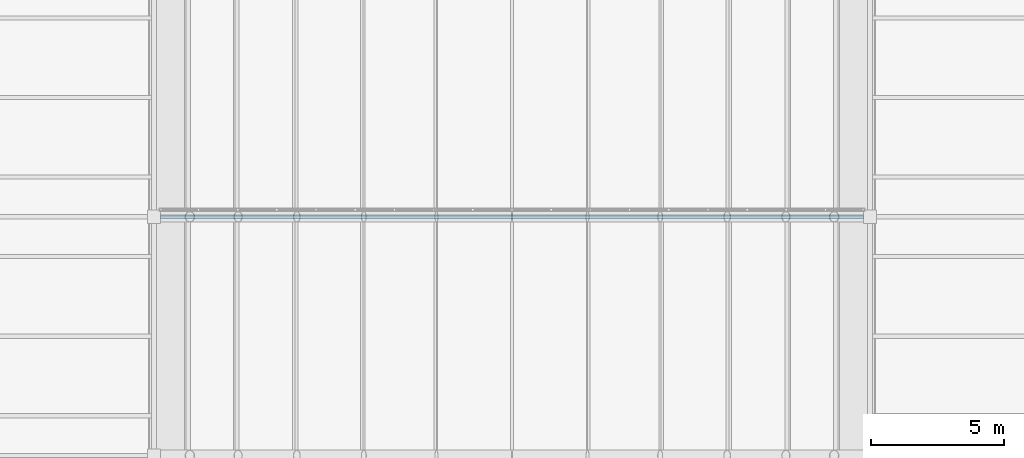
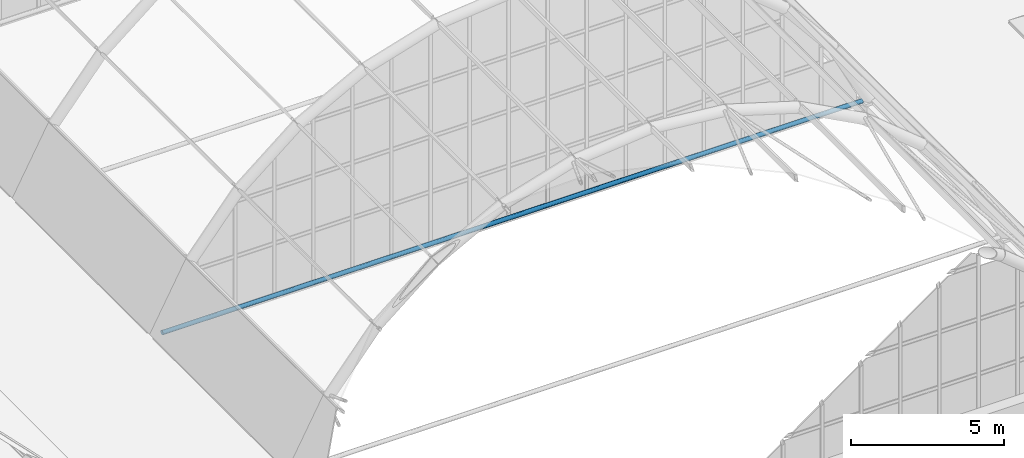
# One storey, part 27 of 121: 1 member.
"""IFC4 building model written with IfcOpenShell, lengths in metres."""

from ifc_helpers import new_model, si_unit, direction, frame, origin, origin_2d, place, context, subcontext, project, spatial, hollow_circle, extrude, material, material_profile, profile_set, type_object, element, save


model = new_model("IFC4")

# Units and contexts
model_context = context("Model", 3, precision=1e-05, world=origin(), true_north=direction((0.0, 1.0)))
body_context = subcontext(model_context, "Body", "Model", "MODEL_VIEW")
ifc_project = project(units=[si_unit("LENGTHUNIT", "METRE"), si_unit("AREAUNIT", "SQUARE_METRE"), si_unit("VOLUMEUNIT", "CUBIC_METRE"), si_unit("PLANEANGLEUNIT", "RADIAN"), si_unit("MASSUNIT", "GRAM", prefix="KILO")], contexts=[model_context])

# Site, building, storey
site_placement = place(None, origin())
site = spatial("IfcSite", under=ifc_project, at=site_placement, CompositionType="ELEMENT")
building_placement = place(site_placement, origin())
building = spatial("IfcBuilding", under=site, at=building_placement, Name="Golden Quay Civic Hall", CompositionType="ELEMENT")
storey_placement = place(building_placement, frame((0.0, 0.0, 18.60009765625)))
storey = spatial("IfcBuildingStorey", under=building, at=storey_placement, Name="L04", CompositionType="ELEMENT", Elevation=18.60009765625)

# Member
ifc_material = material(Name="Steel S355", Category="steel")
ifc_material_profile = material_profile(ifc_material, hollow_circle(Radius=0.084228515625, WallThickness=0.008056640625, at=origin_2d()), Name="CHS 168.3x8")
ifc_profile_set = profile_set([ifc_material_profile], Name="Steel S355")
member_type = type_object("IfcMemberType", Name="Steel tie rod CHS 168.3x8", PredefinedType="USERDEFINED", material=ifc_profile_set)
member_placement = place(storey_placement, frame((72.25, 18.0, 0.099853515625), z_axis=(1.0, 0.0, 0.0), x_axis=(0.0, 1.0, 0.0)))
element("IfcMember", 1, at=member_placement, inside=storey, type_object=member_type, Name="Springing tie 3", ObjectType="TIE ROD", PredefinedType="USERDEFINED", context=body_context, shape_type="SweptSolid", body=[
    extrude(hollow_circle(Radius=0.084228515625, WallThickness=0.008056640625, at=origin_2d()), origin(), (0.0, 0.0, 1.0), 26.5),
])

save(model, "model.ifc")
